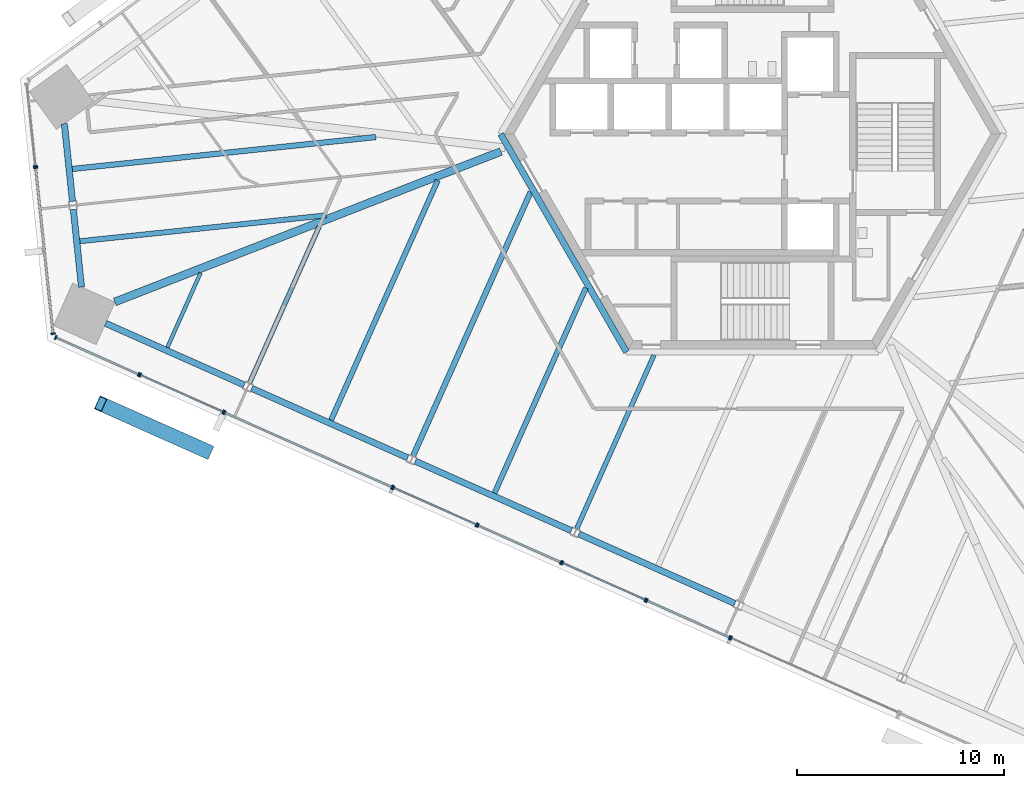
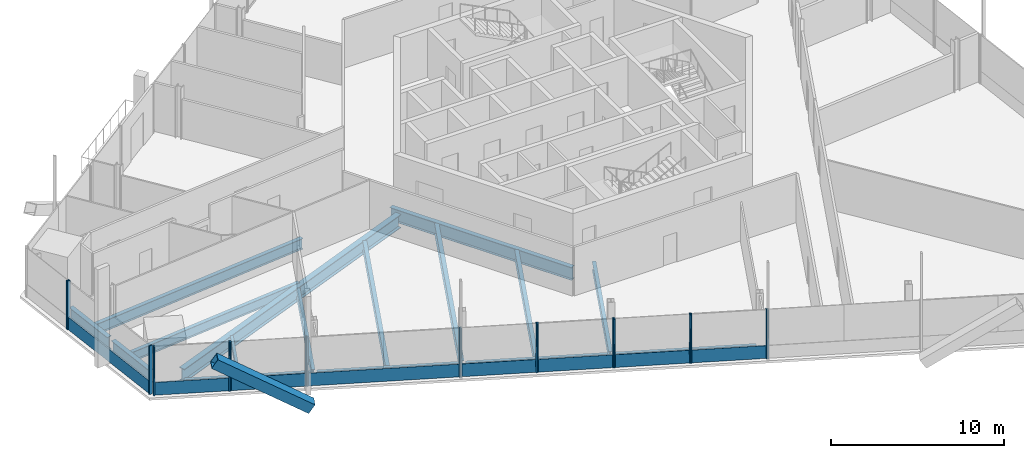
# One storey, part 3 of 21: 27 members, 16 beams, 10 elements without a shape of their own.
"""IFC4 building model written with IfcOpenShell, lengths in metres."""

from ifc_helpers import new_model, si_unit, direction, frame, origin, origin_2d, place, context, subcontext, project, spatial, rectangle, hollow_rectangle, i_section, extrude, source, transform, mapped, material, material_profile, profile_set, type_object, element, aggregate, save


model = new_model("IFC4")

# Units and contexts
model_context = context("Model", 3, precision=1e-05, world=origin(), true_north=direction((0.0, 1.0)))
body_context = subcontext(model_context, "Body", "Model", "MODEL_VIEW")
ifc_project = project(units=[si_unit("LENGTHUNIT", "METRE"), si_unit("AREAUNIT", "SQUARE_METRE"), si_unit("VOLUMEUNIT", "CUBIC_METRE"), si_unit("PLANEANGLEUNIT", "RADIAN"), si_unit("MASSUNIT", "GRAM", prefix="KILO")], contexts=[model_context])

# Site, building, storey
site_placement = place(None, origin())
site = spatial("IfcSite", under=ifc_project, at=site_placement, CompositionType="ELEMENT")
building_placement = place(site_placement, origin())
building = spatial("IfcBuilding", under=site, at=building_placement, Name="Triune Harvest Tower", CompositionType="ELEMENT")
storey_placement = place(building_placement, frame((0.0, 0.0, 87.300048828125)))
storey = spatial("IfcBuildingStorey", under=building, at=storey_placement, Name="L21", CompositionType="ELEMENT", Elevation=87.300048828125)

# Beams
ifc_material_1 = material(Name="Steel ASTM A992 Gr 50", Category="steel")
ifc_material_profile_1 = material_profile(ifc_material_1, i_section(OverallWidth=0.3046875, OverallDepth=0.914306640625, WebThickness=0.0166015625, FlangeThickness=0.02587890625, at=origin_2d()), Name="W36x160")
ifc_profile_set_1 = profile_set([ifc_material_profile_1], Name="Steel ASTM A992 Gr 50")
beam_type_1 = type_object("IfcBeamType", Name="CG-1 Core ring girder W36x160", PredefinedType="BEAM", material=ifc_profile_set_1)
shared_shape_1 = source(origin(), body_context, "Body", "SweptSolid", [
    extrude(i_section(OverallWidth=0.3046875, OverallDepth=0.914306640625, WebThickness=0.0166015625, FlangeThickness=0.02587890625, at=origin_2d()), origin(), (0.0, 0.0, 1.0), 12.176025390625),
])
beam_1_placement = place(storey_placement, frame((-12.176025390625, 0.0, -0.6171875), z_axis=(0.5000099932, -0.866019634131, 0.0), x_axis=(0.866019634131, 0.5000099932, 0.0)))
element("IfcBeam", 1, at=beam_1_placement, inside=storey, type_object=beam_type_1, Name="beam/L21/CG4", PredefinedType="BEAM", context=body_context, shape_type="MappedRepresentation", body=[
    mapped(shared_shape_1, transform((0.0, 0.0, 0.0), scale=1.0)),
])
ifc_material_2 = material(Name="Steel ASTM A992 Gr 50", Category="steel")
ifc_material_profile_2 = material_profile(ifc_material_2, i_section(OverallWidth=0.3046875, OverallDepth=0.914306640625, WebThickness=0.0166015625, FlangeThickness=0.02587890625, at=origin_2d()), Name="W36x160")
ifc_profile_set_2 = profile_set([ifc_material_profile_2], Name="Steel ASTM A992 Gr 50")
beam_type_2 = type_object("IfcBeamType", Name="SB-1 Spandrel beam W36x160", PredefinedType="SPANDREL", material=ifc_profile_set_2)
shared_shape_2 = source(origin(), body_context, "Body", "SweptSolid", [
    extrude(i_section(OverallWidth=0.3046875, OverallDepth=0.914306640625, WebThickness=0.0166015625, FlangeThickness=0.02587890625, at=origin_2d()), origin(), (0.0, 0.0, 1.0), 7.337890625),
])
beam_2_placement = place(storey_placement, frame((-31.29150390625, -9.156982421875, -0.6171875), z_axis=(0.913558923036, -0.40670639796, 0.0), x_axis=(0.40670639796, 0.913558923036, 0.0)))
element("IfcBeam", 2, at=beam_2_placement, inside=storey, type_object=beam_type_2, Name="beam/L21/SB17", PredefinedType="SPANDREL", context=body_context, shape_type="MappedRepresentation", body=[
    mapped(shared_shape_2, transform((0.0, 0.0, 0.0), scale=1.0)),
])
shared_shape_3 = source(origin(), body_context, "Body", "SweptSolid", [
    extrude(i_section(OverallWidth=0.3046875, OverallDepth=0.914306640625, WebThickness=0.0166015625, FlangeThickness=0.02587890625, at=origin_2d()), origin(), (0.0, 0.0, 1.0), 8.263427734375),
])
for number, where, z_axis, x_axis, name in (
    (3, (-24.2236328125, -12.3037109375, -0.6171875), (0.913544537455, -0.406738709846, 0.0), (0.406738709846, 0.913544537455, 0.0), "beam/L21/SB18"),
    (4, (-16.310302734375, -15.826904296875, -0.6171875), (0.913544537455, -0.406738709846, 0.0), (0.406738709846, 0.913544537455, 0.0), "beam/L21/SB19"),
    (5, (-8.39697265625, -19.35009765625, -0.6171875), (0.913544537455, -0.406738709846, 0.0), (0.406738709846, 0.913544537455, 0.0), "beam/L21/SB20"),
):
    element("IfcBeam", number, at=place(storey_placement, frame(where, z_axis=z_axis, x_axis=x_axis)), inside=storey, type_object=beam_type_2, Name=name, PredefinedType="SPANDREL", context=body_context, shape_type="MappedRepresentation", body=[
        mapped(shared_shape_3, transform((0.0, 0.0, 0.0), scale=1.0)),
    ])
shared_shape_4 = source(origin(), body_context, "Body", "SweptSolid", [
    extrude(i_section(OverallWidth=0.3046875, OverallDepth=0.914306640625, WebThickness=0.0166015625, FlangeThickness=0.02587890625, at=origin_2d()), origin(), (0.0, 0.0, 1.0), 3.775146484375),
])
for number, where, z_axis, x_axis, name in (
    (6, (-33.28564453125, 0.497802734375, -0.6171875), (0.104509725916, -0.994523864565, 0.0), (0.994523864565, 0.104509725916, 0.0), "beam/L21/SB15"),
    (7, (-32.849609375, -3.653076171875, -0.6171875), (0.104573690763, -0.994517140727, 0.0), (0.994517140727, 0.104573690763, 0.0), "beam/L21/SB16"),
):
    element("IfcBeam", number, at=place(storey_placement, frame(where, z_axis=z_axis, x_axis=x_axis)), inside=storey, type_object=beam_type_2, Name=name, PredefinedType="SPANDREL", context=body_context, shape_type="MappedRepresentation", body=[
        mapped(shared_shape_4, transform((0.0, 0.0, 0.0), scale=1.0)),
    ])
ifc_material_3 = material(Name="Steel ASTM A992 Gr 50", Category="steel")
ifc_material_profile_3 = material_profile(ifc_material_3, i_section(OverallWidth=0.383544921875, OverallDepth=0.9423828125, WebThickness=0.022216796875, FlangeThickness=0.039794921875, at=origin_2d()), Name="W36x232")
ifc_profile_set_3 = profile_set([ifc_material_profile_3], Name="Steel ASTM A992 Gr 50")
beam_type_3 = type_object("IfcBeamType", Name="HG-1 Hip girder W36x232", PredefinedType="BEAM", material=ifc_profile_set_3)
shared_shape_5 = source(origin(), body_context, "Body", "SweptSolid", [
    extrude(i_section(OverallWidth=0.383544921875, OverallDepth=0.9423828125, WebThickness=0.022216796875, FlangeThickness=0.039794921875, at=origin_2d()), origin(), (0.0, 0.0, 1.0), 20.054443359375),
])
beam_3_placement = place(storey_placement, frame((-30.84423828125, -8.12451171875, -0.63134765625), z_axis=(0.931737115777, 0.363133511374, 0.0), x_axis=(-0.363133511374, 0.931737115777, 0.0)))
element("IfcBeam", 8, at=beam_3_placement, inside=storey, type_object=beam_type_3, Name="beam/L21/HG6", PredefinedType="BEAM", context=body_context, shape_type="MappedRepresentation", body=[
    mapped(shared_shape_5, transform((0.0, 0.0, 0.0), scale=1.0)),
])
ifc_material_4 = material(Name="Steel ASTM A992 Gr 50", Category="steel")
ifc_material_profile_4 = material_profile(ifc_material_4, i_section(OverallWidth=0.180908203125, OverallDepth=0.41650390625, WebThickness=0.010986328125, FlangeThickness=0.01806640625, at=origin_2d()), Name="W16x57")
ifc_profile_set_4 = profile_set([ifc_material_profile_4], Name="Steel ASTM A992 Gr 50")
beam_type_4 = type_object("IfcBeamType", Name="JT-1 Floor joist W16x57", PredefinedType="JOIST", material=ifc_profile_set_4)
shared_shape_6 = source(origin(), body_context, "Body", "SweptSolid", [
    extrude(i_section(OverallWidth=0.180908203125, OverallDepth=0.41650390625, WebThickness=0.010986328125, FlangeThickness=0.01806640625, at=origin_2d()), origin(), (0.0, 0.0, 1.0), 3.95068359375),
])
beam_4_placement = place(storey_placement, frame((-28.300537109375, -10.32177734375, -0.368408203125), z_axis=(0.406746150359, 0.913541224668, 0.0), x_axis=(-0.913541224668, 0.406746150359, 0.0)))
element("IfcBeam", 9, at=beam_4_placement, inside=storey, type_object=beam_type_4, Name="beam/L21/JT27", PredefinedType="JOIST", context=body_context, shape_type="MappedRepresentation", body=[
    mapped(shared_shape_6, transform((0.0, 0.0, 0.0), scale=1.0)),
])
ifc_material_5 = material(Name="Steel ASTM A992 Gr 50", Category="steel")
ifc_material_profile_5 = material_profile(ifc_material_5, i_section(OverallWidth=0.22900390625, OverallDepth=0.612060546875, WebThickness=0.011962890625, FlangeThickness=0.01953125, at=origin_2d()), Name="W24x84")
ifc_profile_set_5 = profile_set([ifc_material_profile_5], Name="Steel ASTM A992 Gr 50")
beam_type_5 = type_object("IfcBeamType", Name="JT-3 Floor joist W24x84", PredefinedType="JOIST", material=ifc_profile_set_5)
shared_shape_7 = source(origin(), body_context, "Body", "SweptSolid", [
    extrude(i_section(OverallWidth=0.22900390625, OverallDepth=0.612060546875, WebThickness=0.011962890625, FlangeThickness=0.01953125, at=origin_2d()), origin(), (0.0, 0.0, 1.0), 8.28173828125),
])
beam_5_placement = place(storey_placement, frame((-24.32568359375, -12.042724609375, -0.466064453125), z_axis=(0.406731926006, 0.913547557803, 0.0), x_axis=(-0.913547557803, 0.406731926006, 0.0)))
element("IfcBeam", 10, at=beam_5_placement, inside=storey, type_object=beam_type_5, Name="beam/L21/JT28", PredefinedType="JOIST", context=body_context, shape_type="MappedRepresentation", body=[
    mapped(shared_shape_7, transform((0.0, 0.0, 0.0), scale=1.0)),
])
ifc_material_6 = material(Name="Steel ASTM A992 Gr 50", Category="steel")
ifc_material_profile_6 = material_profile(ifc_material_6, i_section(OverallWidth=0.253662109375, OverallDepth=0.683349609375, WebThickness=0.012451171875, FlangeThickness=0.01904296875, at=origin_2d()), Name="W27x94")
ifc_profile_set_6 = profile_set([ifc_material_profile_6], Name="Steel ASTM A992 Gr 50")
beam_type_6 = type_object("IfcBeamType", Name="JT-4 Floor joist W27x94", PredefinedType="JOIST", material=ifc_profile_set_6)
shared_shape_8 = source(origin(), body_context, "Body", "SweptSolid", [
    extrude(i_section(OverallWidth=0.253662109375, OverallDepth=0.683349609375, WebThickness=0.012451171875, FlangeThickness=0.01904296875, at=origin_2d()), origin(), (0.0, 0.0, 1.0), 10.864501953125),
])
beam_6_placement = place(storey_placement, frame((-12.473876953125, -17.3681640625, -0.501708984375), z_axis=(0.406757614722, 0.913536120176, 0.0), x_axis=(-0.913536120176, 0.406757614722, 0.0)))
element("IfcBeam", 11, at=beam_6_placement, inside=storey, type_object=beam_type_6, Name="beam/L21/JT31", PredefinedType="JOIST", context=body_context, shape_type="MappedRepresentation", body=[
    mapped(shared_shape_8, transform((0.0, 0.0, 0.0), scale=1.0)),
])
shared_shape_9 = source(origin(), body_context, "Body", "SweptSolid", [
    extrude(i_section(OverallWidth=0.253662109375, OverallDepth=0.683349609375, WebThickness=0.012451171875, FlangeThickness=0.01904296875, at=origin_2d()), origin(), (0.0, 0.0, 1.0), 12.701904296875),
])
beam_7_placement = place(storey_placement, frame((-20.38720703125, -13.844970703125, -0.501708984375), z_axis=(0.406748285801, 0.913540273879, 0.0), x_axis=(-0.913540273879, 0.406748285801, 0.0)))
element("IfcBeam", 12, at=beam_7_placement, inside=storey, type_object=beam_type_6, Name="beam/L21/JT29", PredefinedType="JOIST", context=body_context, shape_type="MappedRepresentation", body=[
    mapped(shared_shape_9, transform((0.0, 0.0, 0.0), scale=1.0)),
])
ifc_material_7 = material(Name="Steel ASTM A992 Gr 50", Category="steel")
ifc_material_profile_7 = material_profile(ifc_material_7, i_section(OverallWidth=0.2666015625, OverallDepth=0.7568359375, WebThickness=0.013916015625, FlangeThickness=0.019287109375, at=origin_2d()), Name="W30x108")
ifc_profile_set_7 = profile_set([ifc_material_profile_7], Name="Steel ASTM A992 Gr 50")
beam_type_7 = type_object("IfcBeamType", Name="JT-5 Floor joist W30x108", PredefinedType="JOIST", material=ifc_profile_set_7)
shared_shape_10 = source(origin(), body_context, "Body", "SweptSolid", [
    extrude(i_section(OverallWidth=0.2666015625, OverallDepth=0.7568359375, WebThickness=0.013916015625, FlangeThickness=0.019287109375, at=origin_2d()), origin(), (0.0, 0.0, 1.0), 14.7666015625),
])
beam_8_placement = place(storey_placement, frame((-32.90234375, -1.690673828125, -0.53857421875), z_axis=(0.994522471236, 0.10452298411, 0.0), x_axis=(-0.10452298411, 0.994522471236, 0.0)))
element("IfcBeam", 13, at=beam_8_placement, inside=storey, type_object=beam_type_7, Name="beam/L21/JT25", PredefinedType="JOIST", context=body_context, shape_type="MappedRepresentation", body=[
    mapped(shared_shape_10, transform((0.0, 0.0, 0.0), scale=1.0)),
])
shared_shape_11 = source(origin(), body_context, "Body", "SweptSolid", [
    extrude(i_section(OverallWidth=0.253662109375, OverallDepth=0.683349609375, WebThickness=0.012451171875, FlangeThickness=0.01904296875, at=origin_2d()), origin(), (0.0, 0.0, 1.0), 11.9775390625),
])
beam_9_placement = place(storey_placement, frame((-32.534912109375, -5.18701171875, -0.501708984375), z_axis=(0.994522193593, 0.104525625807, 0.0), x_axis=(-0.104525625807, 0.994522193593, 0.0)))
element("IfcBeam", 14, at=beam_9_placement, inside=storey, type_object=beam_type_6, Name="beam/L21/JT26", PredefinedType="JOIST", context=body_context, shape_type="MappedRepresentation", body=[
    mapped(shared_shape_11, transform((0.0, 0.0, 0.0), scale=1.0)),
])
shared_shape_12 = source(origin(), body_context, "Body", "SweptSolid", [
    extrude(i_section(OverallWidth=0.2666015625, OverallDepth=0.7568359375, WebThickness=0.013916015625, FlangeThickness=0.019287109375, at=origin_2d()), origin(), (0.0, 0.0, 1.0), 13.966796875),
])
beam_10_placement = place(storey_placement, frame((-16.412353515625, -15.56591796875, -0.53857421875), z_axis=(0.406743331023, 0.913542479948, 0.0), x_axis=(-0.913542479948, 0.406743331023, 0.0)))
element("IfcBeam", 15, at=beam_10_placement, inside=storey, type_object=beam_type_7, Name="beam/L21/JT30", PredefinedType="JOIST", context=body_context, shape_type="MappedRepresentation", body=[
    mapped(shared_shape_12, transform((0.0, 0.0, 0.0), scale=1.0)),
])
shared_shape_13 = source(origin(), body_context, "Body", "SweptSolid", [
    extrude(i_section(OverallWidth=0.22900390625, OverallDepth=0.612060546875, WebThickness=0.011962890625, FlangeThickness=0.01953125, at=origin_2d()), origin(), (0.0, 0.0, 1.0), 9.1865234375),
])
beam_11_placement = place(storey_placement, frame((-8.4990234375, -19.08935546875, -0.466064453125), z_axis=(0.406720317643, 0.913552726019, 0.0), x_axis=(-0.913552726019, 0.406720317643, 0.0)))
element("IfcBeam", 16, at=beam_11_placement, inside=storey, type_object=beam_type_5, Name="beam/L21/JT32", PredefinedType="JOIST", context=body_context, shape_type="MappedRepresentation", body=[
    mapped(shared_shape_13, transform((0.0, 0.0, 0.0), scale=1.0)),
])

# Member
ifc_material_8 = material(Name="Steel ASTM A572 Gr 50", Category="steel")
ifc_material_profile_8 = material_profile(ifc_material_8, hollow_rectangle(XDim=0.699951171875, YDim=0.699951171875, WallThickness=0.0400390625, at=origin_2d()), Name="Box 700x700x40")
ifc_profile_set_8 = profile_set([ifc_material_profile_8], Name="Steel ASTM A572 Gr 50")
member_type_1 = type_object("IfcMemberType", Name="BR-1 Brace Box 700x700x40", PredefinedType="BRACE", material=ifc_profile_set_8)
shared_shape_14 = source(origin(), body_context, "Body", "SweptSolid", [
    extrude(hollow_rectangle(XDim=0.699951171875, YDim=0.699951171875, WallThickness=0.0400390625, at=origin_2d()), origin(), (0.0, 0.0, 1.0), 6.7021484375),
])
member_1_placement = place(storey_placement, frame((-26.36572265625, -15.351318359375, 0.0), z_axis=(-0.7705752444, 0.343105239057, 0.537115059973), x_axis=(-0.40675943476, -0.91353530979, 0.0)))
element("IfcMember", 17, at=member_1_placement, inside=storey, type_object=member_type_1, Name="brace/B2-F5/d2/9", PredefinedType="BRACE", context=body_context, shape_type="MappedRepresentation", body=[
    mapped(shared_shape_14, transform((0.0, 0.0, 0.0), scale=1.0)),
])

# Curtain wall, member
ifc_material_9 = material(Name="Aluminium bronze anodised", Category="aluminium")
curtain_wall_type_1 = type_object("IfcCurtainWallType", Name="CW-1 Tower stick curtain wall", PredefinedType="NOTDEFINED", material=ifc_material_9)
curtain_wall_1_placement = place(storey_placement, origin())
curtain_wall_1 = element("IfcCurtainWall", 18, at=curtain_wall_1_placement, inside=storey, type_object=curtain_wall_type_1, Name="CW-1 B2-F4 L21 run 1")
ifc_material_10 = material(Name="Aluminium bronze anodised", Category="aluminium")
ifc_material_profile_9 = material_profile(ifc_material_10, rectangle(XDim=0.199951171875, YDim=0.074951171875, at=origin_2d()), Name="MU-1 mullion 75 x 200")
ifc_profile_set_9 = profile_set([ifc_material_profile_9], Name="Aluminium bronze anodised")
member_type_2 = type_object("IfcMemberType", Name="MU-1 mullion 75 x 200", PredefinedType="MULLION", material=ifc_profile_set_9)
shared_shape_15 = source(origin(), body_context, "Body", "SweptSolid", [
    extrude(rectangle(XDim=0.199951171875, YDim=0.074951171875, at=origin_2d()), origin(), (0.0, 0.0, 1.0), 3.43994140625),
])
member_2_placement = place(storey_placement, frame((-34.68359375, -1.559814453125, 0.0), z_axis=(0.0, 0.0, 1.0), x_axis=(0.994521759788, 0.104529753221, 0.0)))
member_2 = element("IfcMember", 19, at=member_2_placement, type_object=member_type_2, Name="CW-1 mullion B2-F4 1.2", PredefinedType="MULLION", context=body_context, shape_type="MappedRepresentation", body=[
    mapped(shared_shape_15, transform((0.0, 0.0, 0.0), scale=1.0)),
])
aggregate(curtain_wall_1, [member_2])

# Curtain wall, members
ifc_material_11 = material(Name="Aluminium bronze anodised", Category="aluminium")
curtain_wall_type_2 = type_object("IfcCurtainWallType", Name="CW-7 Tower stick curtain wall with insulated spandrel infill", PredefinedType="NOTDEFINED", material=ifc_material_11)
curtain_wall_2_placement = place(storey_placement, origin())
curtain_wall_2 = element("IfcCurtainWall", 20, at=curtain_wall_2_placement, inside=storey, type_object=curtain_wall_type_2, Name="CW-7 B2-F4 L21 run 1001")
member_3_placement = place(storey_placement, frame((-34.67578125, -1.63427734375, 0.0), z_axis=(0.0, 0.0, 1.0), x_axis=(0.994521805605, 0.1045293173, 0.0)))
member_3 = element("IfcMember", 21, at=member_3_placement, type_object=member_type_2, Name="CW-7 mullion B2-F4 1001.1", PredefinedType="MULLION", context=body_context, shape_type="MappedRepresentation", body=[
    mapped(shared_shape_15, transform((0.0, 0.0, 0.0), scale=1.0)),
])
member_4_placement = place(storey_placement, frame((-33.83203125, -9.662109375, 0.0), z_axis=(0.0, 0.0, 1.0), x_axis=(0.994521805605, 0.1045293173, 0.0)))
member_4 = element("IfcMember", 22, at=member_4_placement, type_object=member_type_2, Name="CW-7 mullion B2-F4 1001.3", PredefinedType="MULLION", context=body_context, shape_type="MappedRepresentation", body=[
    mapped(shared_shape_15, transform((0.0, 0.0, 0.0), scale=1.0)),
])

curtain_wall_3_placement = place(storey_placement, origin())
curtain_wall_3 = element("IfcCurtainWall", 23, at=curtain_wall_3_placement, inside=storey, type_object=curtain_wall_type_2, Name="CW-7 B2-F5 L21 run 1")
member_5_placement = place(storey_placement, frame((-33.7021484375, -9.840576171875, 0.0), z_axis=(0.0, 0.0, 1.0), x_axis=(0.406744794893, 0.913541828176, 0.0)))
member_5 = element("IfcMember", 24, at=member_5_placement, type_object=member_type_2, Name="CW-7 mullion B2-F5 1.1", PredefinedType="MULLION", context=body_context, shape_type="MappedRepresentation", body=[
    mapped(shared_shape_15, transform((0.0, 0.0, 0.0), scale=1.0)),
])
member_6_placement = place(storey_placement, frame((-29.6865234375, -11.628662109375, 0.0), z_axis=(0.0, 0.0, 1.0), x_axis=(0.406744794893, 0.913541828176, 0.0)))
member_6 = element("IfcMember", 25, at=member_6_placement, type_object=member_type_2, Name="CW-7 mullion B2-F5 1.2", PredefinedType="MULLION", context=body_context, shape_type="MappedRepresentation", body=[
    mapped(shared_shape_15, transform((0.0, 0.0, 0.0), scale=1.0)),
])

curtain_wall_4_placement = place(storey_placement, origin())
curtain_wall_4 = element("IfcCurtainWall", 26, at=curtain_wall_4_placement, inside=storey, type_object=curtain_wall_type_1, Name="CW-1 B2-F5 L21 run 1001")
member_7_placement = place(storey_placement, frame((-29.617919921875, -11.658935546875, 0.0), z_axis=(0.0, 0.0, 1.0), x_axis=(0.406725727224, 0.913550317615, 0.0)))
member_7 = element("IfcMember", 27, at=member_7_placement, type_object=member_type_2, Name="CW-1 mullion B2-F5 1001.1", PredefinedType="MULLION", context=body_context, shape_type="MappedRepresentation", body=[
    mapped(shared_shape_15, transform((0.0, 0.0, 0.0), scale=1.0)),
])
member_8_placement = place(storey_placement, frame((-25.6025390625, -13.44677734375, 0.0), z_axis=(0.0, 0.0, 1.0), x_axis=(0.406725727224, 0.913550317615, 0.0)))
member_8 = element("IfcMember", 28, at=member_8_placement, type_object=member_type_2, Name="CW-1 mullion B2-F5 1001.2", PredefinedType="MULLION", context=body_context, shape_type="MappedRepresentation", body=[
    mapped(shared_shape_15, transform((0.0, 0.0, 0.0), scale=1.0)),
])

curtain_wall_5_placement = place(storey_placement, origin())
curtain_wall_5 = element("IfcCurtainWall", 29, at=curtain_wall_5_placement, inside=storey, type_object=curtain_wall_type_2, Name="CW-7 B2-F5 L21 run 2001")
member_9_placement = place(storey_placement, frame((-25.533935546875, -13.477294921875, 0.0), z_axis=(0.0, 0.0, 1.0), x_axis=(0.406739216975, 0.913544311665, 0.0)))
member_9 = element("IfcMember", 30, at=member_9_placement, type_object=member_type_2, Name="CW-7 mullion B2-F5 2001.1", PredefinedType="MULLION", context=body_context, shape_type="MappedRepresentation", body=[
    mapped(shared_shape_15, transform((0.0, 0.0, 0.0), scale=1.0)),
])
member_10_placement = place(storey_placement, frame((-17.434326171875, -17.08349609375, 0.0), z_axis=(0.0, 0.0, 1.0), x_axis=(0.406739216975, 0.913544311665, 0.0)))
member_10 = element("IfcMember", 31, at=member_10_placement, type_object=member_type_2, Name="CW-7 mullion B2-F5 2001.3", PredefinedType="MULLION", context=body_context, shape_type="MappedRepresentation", body=[
    mapped(shared_shape_15, transform((0.0, 0.0, 0.0), scale=1.0)),
])

curtain_wall_6_placement = place(storey_placement, origin())
curtain_wall_6 = element("IfcCurtainWall", 32, at=curtain_wall_6_placement, inside=storey, type_object=curtain_wall_type_1, Name="CW-1 B2-F5 L21 run 3001")
member_11_placement = place(storey_placement, frame((-17.36572265625, -17.114013671875, 0.0), z_axis=(0.0, 0.0, 1.0), x_axis=(0.406744395105, 0.913542006177, 0.0)))
member_11 = element("IfcMember", 33, at=member_11_placement, type_object=member_type_2, Name="CW-1 mullion B2-F5 3001.1", PredefinedType="MULLION", context=body_context, shape_type="MappedRepresentation", body=[
    mapped(shared_shape_15, transform((0.0, 0.0, 0.0), scale=1.0)),
])
member_12_placement = place(storey_placement, frame((-13.350341796875, -18.90185546875, 0.0), z_axis=(0.0, 0.0, 1.0), x_axis=(0.406744395105, 0.913542006177, 0.0)))
member_12 = element("IfcMember", 34, at=member_12_placement, type_object=member_type_2, Name="CW-1 mullion B2-F5 3001.2", PredefinedType="MULLION", context=body_context, shape_type="MappedRepresentation", body=[
    mapped(shared_shape_15, transform((0.0, 0.0, 0.0), scale=1.0)),
])

curtain_wall_7_placement = place(storey_placement, origin())
curtain_wall_7 = element("IfcCurtainWall", 35, at=curtain_wall_7_placement, inside=storey, type_object=curtain_wall_type_2, Name="CW-7 B2-F5 L21 run 4001")
member_13_placement = place(storey_placement, frame((-13.28173828125, -18.932373046875, 0.0), z_axis=(0.0, 0.0, 1.0), x_axis=(0.406734038688, 0.913546617186, 0.0)))
member_13 = element("IfcMember", 36, at=member_13_placement, type_object=member_type_2, Name="CW-7 mullion B2-F5 4001.1", PredefinedType="MULLION", context=body_context, shape_type="MappedRepresentation", body=[
    mapped(shared_shape_15, transform((0.0, 0.0, 0.0), scale=1.0)),
])
member_14_placement = place(storey_placement, frame((-9.266357421875, -20.72021484375, 0.0), z_axis=(0.0, 0.0, 1.0), x_axis=(0.406734038688, 0.913546617186, 0.0)))
member_14 = element("IfcMember", 37, at=member_14_placement, type_object=member_type_2, Name="CW-7 mullion B2-F5 4001.2", PredefinedType="MULLION", context=body_context, shape_type="MappedRepresentation", body=[
    mapped(shared_shape_15, transform((0.0, 0.0, 0.0), scale=1.0)),
])

curtain_wall_8_placement = place(storey_placement, origin())
curtain_wall_8 = element("IfcCurtainWall", 38, at=curtain_wall_8_placement, inside=storey, type_object=curtain_wall_type_1, Name="CW-1 B2-F5 L21 run 5001")
member_15_placement = place(storey_placement, frame((-9.19775390625, -20.750732421875, 0.0), z_axis=(0.0, 0.0, 1.0), x_axis=(0.406725727224, 0.913550317615, 0.0)))
member_15 = element("IfcMember", 39, at=member_15_placement, type_object=member_type_2, Name="CW-1 mullion B2-F5 5001.1", PredefinedType="MULLION", context=body_context, shape_type="MappedRepresentation", body=[
    mapped(shared_shape_15, transform((0.0, 0.0, 0.0), scale=1.0)),
])
member_16_placement = place(storey_placement, frame((-5.18212890625, -22.53857421875, 0.0), z_axis=(0.0, 0.0, 1.0), x_axis=(0.406725727224, 0.913550317615, 0.0)))
member_16 = element("IfcMember", 40, at=member_16_placement, type_object=member_type_2, Name="CW-1 mullion B2-F5 5001.2", PredefinedType="MULLION", context=body_context, shape_type="MappedRepresentation", body=[
    mapped(shared_shape_15, transform((0.0, 0.0, 0.0), scale=1.0)),
])

curtain_wall_9_placement = place(storey_placement, origin())
curtain_wall_9 = element("IfcCurtainWall", 41, at=curtain_wall_9_placement, inside=storey, type_object=curtain_wall_type_2, Name="CW-7 B2-F5 L21 run 6001")
member_17_placement = place(storey_placement, frame((-5.113525390625, -22.569091796875, 0.0), z_axis=(0.0, 0.0, 1.0), x_axis=(0.406744395105, 0.913542006177, 0.0)))
member_17 = element("IfcMember", 42, at=member_17_placement, type_object=member_type_2, Name="CW-7 mullion B2-F5 6001.1", PredefinedType="MULLION", context=body_context, shape_type="MappedRepresentation", body=[
    mapped(shared_shape_15, transform((0.0, 0.0, 0.0), scale=1.0)),
])
member_18_placement = place(storey_placement, frame((-1.09814453125, -24.35693359375, 0.0), z_axis=(0.0, 0.0, 1.0), x_axis=(0.406744395105, 0.913542006177, 0.0)))
member_18 = element("IfcMember", 43, at=member_18_placement, type_object=member_type_2, Name="CW-7 mullion B2-F5 6001.2", PredefinedType="MULLION", context=body_context, shape_type="MappedRepresentation", body=[
    mapped(shared_shape_15, transform((0.0, 0.0, 0.0), scale=1.0)),
])

# Curtain wall, member
curtain_wall_10_placement = place(storey_placement, origin())
curtain_wall_10 = element("IfcCurtainWall", 44, at=curtain_wall_10_placement, inside=storey, type_object=curtain_wall_type_1, Name="CW-1 B2-F5 L21 run 7001")
member_19_placement = place(storey_placement, frame((-1.029541015625, -24.387451171875, 0.0), z_axis=(0.0, 0.0, 1.0), x_axis=(0.406739216975, 0.913544311665, 0.0)))
member_19 = element("IfcMember", 45, at=member_19_placement, type_object=member_type_2, Name="CW-1 mullion B2-F5 7001.1", PredefinedType="MULLION", context=body_context, shape_type="MappedRepresentation", body=[
    mapped(shared_shape_15, transform((0.0, 0.0, 0.0), scale=1.0)),
])
aggregate(curtain_wall_10, [member_19])

# Member
ifc_material_12 = material(Name="Aluminium bronze anodised", Category="aluminium")
ifc_material_profile_10 = material_profile(ifc_material_12, rectangle(XDim=0.090087890625, YDim=0.89990234375, at=origin_2d()), Name="TR-1 transom 90 x 900")
ifc_profile_set_10 = profile_set([ifc_material_profile_10], Name="Aluminium bronze anodised")
member_type_3 = type_object("IfcMemberType", Name="TR-1 transom 90 x 900", PredefinedType="USERDEFINED", material=ifc_profile_set_10)
shared_shape_16 = source(origin(), body_context, "Body", "SweptSolid", [
    extrude(rectangle(XDim=0.090087890625, YDim=0.89990234375, at=origin_2d()), origin(), (0.0, 0.0, 1.0), 8.791259765625),
])
member_20_placement = place(storey_placement, frame((-25.499755859375, -13.49267578125, 0.449951171875), z_axis=(0.913547963374, -0.406731015065, 0.0), x_axis=(0.406731015065, 0.913547963374, 0.0)))
member_20 = element("IfcMember", 46, at=member_20_placement, type_object=member_type_3, Name="CW-7 transom B2-F5 2001.1", ObjectType="TRANSOM", PredefinedType="USERDEFINED", context=body_context, shape_type="MappedRepresentation", body=[
    mapped(shared_shape_16, transform((0.0, 0.0, 0.0), scale=1.0)),
])

aggregate(curtain_wall_5, [member_9, member_10, member_20])

shared_shape_17 = source(origin(), body_context, "Body", "SweptSolid", [
    extrude(rectangle(XDim=0.090087890625, YDim=0.89990234375, at=origin_2d()), origin(), (0.0, 0.0, 1.0), 4.32080078125),
])
member_21_placement = place(storey_placement, frame((-33.66796875, -9.85595703125, 0.449951171875), z_axis=(0.913555060299, -0.40671507447, 0.0), x_axis=(0.40671507447, 0.913555060299, 0.0)))
member_21 = element("IfcMember", 47, at=member_21_placement, type_object=member_type_3, Name="CW-7 transom B2-F5 1.1", ObjectType="TRANSOM", PredefinedType="USERDEFINED", context=body_context, shape_type="MappedRepresentation", body=[
    mapped(shared_shape_17, transform((0.0, 0.0, 0.0), scale=1.0)),
])

aggregate(curtain_wall_3, [member_5, member_6, member_21])

shared_shape_18 = source(origin(), body_context, "Body", "SweptSolid", [
    extrude(rectangle(XDim=0.090087890625, YDim=0.89990234375, at=origin_2d()), origin(), (0.0, 0.0, 1.0), 4.320556640625),
])
member_22_placement = place(storey_placement, frame((-29.583740234375, -11.67431640625, 0.449951171875), z_axis=(0.913545712861, -0.406736069845, 0.0), x_axis=(0.406736069845, 0.913545712861, 0.0)))
member_22 = element("IfcMember", 48, at=member_22_placement, type_object=member_type_3, Name="CW-1 transom B2-F5 1001.1", ObjectType="TRANSOM", PredefinedType="USERDEFINED", context=body_context, shape_type="MappedRepresentation", body=[
    mapped(shared_shape_18, transform((0.0, 0.0, 0.0), scale=1.0)),
])

aggregate(curtain_wall_4, [member_7, member_8, member_22])

member_23_placement = place(storey_placement, frame((-17.33154296875, -17.12939453125, 0.449951171875), z_axis=(0.913545712861, -0.406736069845, 0.0), x_axis=(0.406736069845, 0.913545712861, 0.0)))
member_23 = element("IfcMember", 49, at=member_23_placement, type_object=member_type_3, Name="CW-1 transom B2-F5 3001.1", ObjectType="TRANSOM", PredefinedType="USERDEFINED", context=body_context, shape_type="MappedRepresentation", body=[
    mapped(shared_shape_18, transform((0.0, 0.0, 0.0), scale=1.0)),
])

aggregate(curtain_wall_6, [member_11, member_12, member_23])

member_24_placement = place(storey_placement, frame((-13.24755859375, -18.94775390625, 0.449951171875), z_axis=(0.913545712861, -0.406736069845, 0.0), x_axis=(0.406736069845, 0.913545712861, 0.0)))
member_24 = element("IfcMember", 50, at=member_24_placement, type_object=member_type_3, Name="CW-7 transom B2-F5 4001.1", ObjectType="TRANSOM", PredefinedType="USERDEFINED", context=body_context, shape_type="MappedRepresentation", body=[
    mapped(shared_shape_18, transform((0.0, 0.0, 0.0), scale=1.0)),
])

aggregate(curtain_wall_7, [member_13, member_14, member_24])

member_25_placement = place(storey_placement, frame((-9.16357421875, -20.76611328125, 0.449951171875), z_axis=(0.913576053963, -0.406667915659, 0.0), x_axis=(0.406667915659, 0.913576053963, 0.0)))
member_25 = element("IfcMember", 51, at=member_25_placement, type_object=member_type_3, Name="CW-1 transom B2-F5 5001.1", ObjectType="TRANSOM", PredefinedType="USERDEFINED", context=body_context, shape_type="MappedRepresentation", body=[
    mapped(shared_shape_18, transform((0.0, 0.0, 0.0), scale=1.0)),
])

aggregate(curtain_wall_8, [member_15, member_16, member_25])

member_26_placement = place(storey_placement, frame((-5.079345703125, -22.584228515625, 0.449951171875), z_axis=(0.913524715776, -0.406783226874, 0.0), x_axis=(0.406783226874, 0.913524715776, 0.0)))
member_26 = element("IfcMember", 52, at=member_26_placement, type_object=member_type_3, Name="CW-7 transom B2-F5 6001.1", ObjectType="TRANSOM", PredefinedType="USERDEFINED", context=body_context, shape_type="MappedRepresentation", body=[
    mapped(shared_shape_18, transform((0.0, 0.0, 0.0), scale=1.0)),
])

aggregate(curtain_wall_9, [member_17, member_18, member_26])

shared_shape_19 = source(origin(), body_context, "Body", "SweptSolid", [
    extrude(rectangle(XDim=0.090087890625, YDim=0.89990234375, at=origin_2d()), origin(), (0.0, 0.0, 1.0), 7.996826171875),
])
member_27_placement = place(storey_placement, frame((-34.671875, -1.671630859375, 0.449951171875), z_axis=(0.104532220578, -0.994521500452, 0.0), x_axis=(0.994521500452, 0.104532220578, 0.0)))
member_27 = element("IfcMember", 53, at=member_27_placement, type_object=member_type_3, Name="CW-7 transom B2-F4 1001.1", ObjectType="TRANSOM", PredefinedType="USERDEFINED", context=body_context, shape_type="MappedRepresentation", body=[
    mapped(shared_shape_19, transform((0.0, 0.0, 0.0), scale=1.0)),
])

aggregate(curtain_wall_2, [member_3, member_4, member_27])

save(model, "model.ifc")
